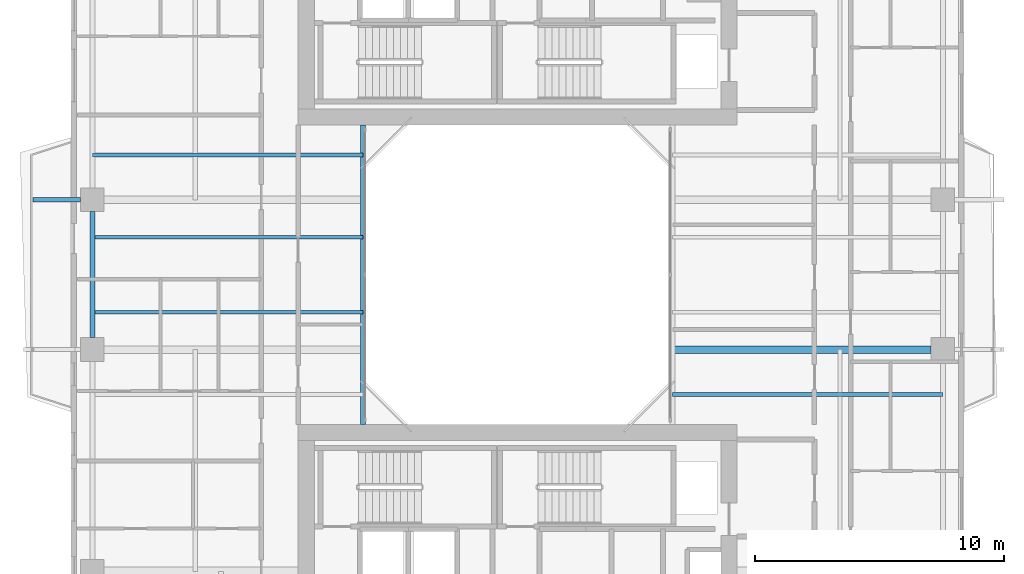
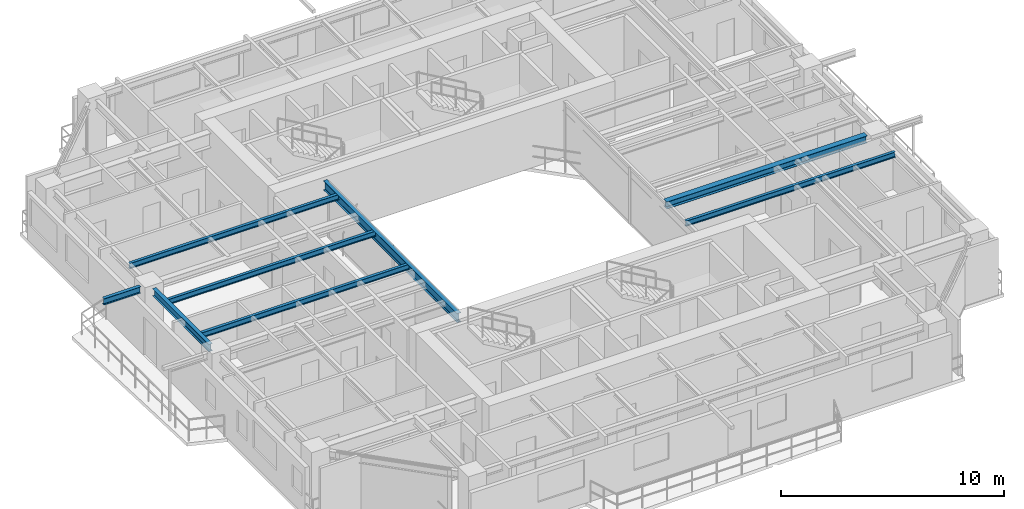
# One storey, part 5 of 18: 8 beams.
"""IFC4 building model written with IfcOpenShell, lengths in metres."""

from ifc_helpers import new_model, si_unit, direction, frame, origin, origin_2d, place, context, subcontext, project, spatial, i_section, extrude, source, transform, mapped, material, material_profile, profile_set, type_object, element, save


model = new_model("IFC4")

# Units and contexts
model_context = context("Model", 3, precision=1e-05, world=origin(), true_north=direction((0.0, 1.0)))
body_context = subcontext(model_context, "Body", "Model", "MODEL_VIEW")
ifc_project = project(units=[si_unit("LENGTHUNIT", "METRE"), si_unit("AREAUNIT", "SQUARE_METRE"), si_unit("VOLUMEUNIT", "CUBIC_METRE"), si_unit("PLANEANGLEUNIT", "RADIAN"), si_unit("MASSUNIT", "GRAM", prefix="KILO"), si_unit("THERMODYNAMICTEMPERATUREUNIT", "KELVIN"), si_unit("POWERUNIT", "WATT")], contexts=[model_context])

# Site, building, storey
site_placement = place(None, origin())
site = spatial("IfcSite", under=ifc_project, at=site_placement, CompositionType="ELEMENT")
building_placement = place(site_placement, origin())
building = spatial("IfcBuilding", under=site, at=building_placement, Name="Qiaomeng Ring Towers", CompositionType="ELEMENT")
storey_placement = place(building_placement, frame((0.0, 0.0, 179.5)))
storey = spatial("IfcBuildingStorey", under=building, at=storey_placement, Name="L52", CompositionType="ELEMENT", Elevation=179.5)

# Beams
ifc_material = material(Name="Steel Q355B", Category="steel")
ifc_material_profile_1 = material_profile(ifc_material, i_section(OverallWidth=0.199951171875, OverallDepth=0.5, WebThickness=0.010009765625, FlangeThickness=0.01611328125, FilletRadius=0.02001953125, at=origin_2d()), Name="HN 500x200x10x16")
ifc_profile_set_1 = profile_set([ifc_material_profile_1], Name="Steel Q355B")
beam_type_1 = type_object("IfcBeamType", Name="STR-BM-HN500", PredefinedType="BEAM", material=ifc_profile_set_1)
shared_shape_1 = source(origin(), body_context, "Body", "SweptSolid", [
    extrude(i_section(OverallWidth=0.199951171875, OverallDepth=0.5, WebThickness=0.010009765625, FlangeThickness=0.01611328125, FilletRadius=0.02001953125, at=origin_2d()), origin(), (0.0, 0.0, 1.0), 12.0),
])
beam_1_placement = place(storey_placement, frame((12.800048828125, 17.0, 2.820068359375), z_axis=(0.0, 1.0, 0.0), x_axis=(-1.0, 0.0, 0.0)))
element("IfcBeam", 1, at=beam_1_placement, inside=storey, type_object=beam_type_1, Name="L52 beam STR-BM-L52-WELL-W", PredefinedType="BEAM", context=body_context, shape_type="MappedRepresentation", body=[
    mapped(shared_shape_1, transform((0.0, 0.0, 0.0), x_axis=(1.0, 0.0, 0.0), y_axis=(0.0, 1.0, 0.0), z_axis=(0.0, 0.0, 1.0), scale=1.0)),
])
ifc_material_profile_2 = material_profile(ifc_material, i_section(OverallWidth=0.14990234375, OverallDepth=0.300048828125, WebThickness=0.006591796875, FlangeThickness=0.009033203125, FilletRadius=0.012939453125, at=origin_2d()), Name="HN 300x150x6.5x9")
ifc_profile_set_2 = profile_set([ifc_material_profile_2], Name="Steel Q355B")
beam_type_2 = type_object("IfcBeamType", Name="STR-BM-HN300", PredefinedType="JOIST", material=ifc_profile_set_2)
shared_shape_2 = source(origin(), body_context, "Body", "SweptSolid", [
    extrude(i_section(OverallWidth=0.14990234375, OverallDepth=0.300048828125, WebThickness=0.006591796875, FlangeThickness=0.009033203125, FilletRadius=0.012939453125, at=origin_2d()), origin(), (0.0, 0.0, 1.0), 10.85009765625),
])
for number, where, z_axis, x_axis, name in (
    (2, (25.199951171875, 18.199951171875, 2.919921875), (1.0, 0.0, 0.0), (0.0, 1.0, 0.0), "L52 beam STR-JST-L52-T1E-1"),
    (3, (1.949951171875, 21.5, 2.919921875), (1.0, 0.0, 0.0), (0.0, 1.0, 0.0), "L52 beam STR-JST-L52-T1W-2"),
    (4, (1.949951171875, 24.5, 2.919921875), (1.0, 0.0, 0.0), (0.0, 1.0, 0.0), "L52 beam STR-JST-L52-T1W-3"),
    (5, (1.949951171875, 27.800048828125, 2.919921875), (1.0, 0.0, 0.0), (0.0, 1.0, 0.0), "L52 beam STR-JST-L52-T1W-4"),
):
    element("IfcBeam", number, at=place(storey_placement, frame(where, z_axis=z_axis, x_axis=x_axis)), inside=storey, type_object=beam_type_2, Name=name, PredefinedType="JOIST", context=body_context, shape_type="MappedRepresentation", body=[
        mapped(shared_shape_2, transform((0.0, 0.0, 0.0), x_axis=(1.0, 0.0, 0.0), y_axis=(0.0, 1.0, 0.0), z_axis=(0.0, 0.0, 1.0), scale=1.0)),
    ])
ifc_material_profile_3 = material_profile(ifc_material, i_section(OverallWidth=0.199951171875, OverallDepth=0.39990234375, WebThickness=0.008056640625, FlangeThickness=0.012939453125, FilletRadius=0.01611328125, at=origin_2d()), Name="HN 400x200x8x13")
ifc_profile_set_3 = profile_set([ifc_material_profile_3], Name="Steel Q355B")
beam_type_3 = type_object("IfcBeamType", Name="STR-BM-HN400", PredefinedType="SPANDREL", material=ifc_profile_set_3)
shared_shape_3 = source(origin(), body_context, "Body", "SweptSolid", [
    extrude(i_section(OverallWidth=0.199951171875, OverallDepth=0.39990234375, WebThickness=0.008056640625, FlangeThickness=0.012939453125, FilletRadius=0.01611328125, at=origin_2d()), origin(), (0.0, 0.0, 1.0), 5.0517578125),
])
beam_2_placement = place(storey_placement, frame((1.949951171875, 25.52587890625, 2.8701171875), z_axis=(0.0, -1.0, 0.0), x_axis=(1.0, 0.0, 0.0)))
element("IfcBeam", 6, at=beam_2_placement, inside=storey, type_object=beam_type_3, Name="L52 beam STR-SP-L52-T1-W3-W2", PredefinedType="SPANDREL", context=body_context, shape_type="MappedRepresentation", body=[
    mapped(shared_shape_3, transform((0.0, 0.0, 0.0), x_axis=(1.0, 0.0, 0.0), y_axis=(0.0, 1.0, 0.0), z_axis=(0.0, 0.0, 1.0), scale=1.0)),
])
ifc_material_profile_4 = material_profile(ifc_material, i_section(OverallWidth=0.300048828125, OverallDepth=0.389892578125, WebThickness=0.010009765625, FlangeThickness=0.01611328125, FilletRadius=0.02197265625, at=origin_2d()), Name="HM 390x300x10x16")
ifc_profile_set_4 = profile_set([ifc_material_profile_4], Name="Steel Q355B")
beam_type_4 = type_object("IfcBeamType", Name="STR-BM-HM390", PredefinedType="BEAM", material=ifc_profile_set_4)
shared_shape_4 = source(origin(), body_context, "Body", "SweptSolid", [
    extrude(i_section(OverallWidth=0.300048828125, OverallDepth=0.389892578125, WebThickness=0.010009765625, FlangeThickness=0.01611328125, FilletRadius=0.02197265625, at=origin_2d()), origin(), (0.0, 0.0, 1.0), 10.3759765625),
])
beam_3_placement = place(storey_placement, frame((25.199951171875, 20.0, 2.875), z_axis=(1.0, 0.0, 0.0), x_axis=(0.0, 1.0, 0.0)))
element("IfcBeam", 7, at=beam_3_placement, inside=storey, type_object=beam_type_4, Name="L52 beam STR-BM-L52-T1-RAD-E2", PredefinedType="BEAM", context=body_context, shape_type="MappedRepresentation", body=[
    mapped(shared_shape_4, transform((0.0, 0.0, 0.0), x_axis=(1.0, 0.0, 0.0), y_axis=(0.0, 1.0, 0.0), z_axis=(0.0, 0.0, 1.0), scale=1.0)),
])
ifc_material_profile_5 = material_profile(ifc_material, i_section(OverallWidth=0.175048828125, OverallDepth=0.35009765625, WebThickness=0.007080078125, FlangeThickness=0.010986328125, FilletRadius=0.013916015625, at=origin_2d()), Name="HN 350x175x7x11")
ifc_profile_set_5 = profile_set([ifc_material_profile_5], Name="Steel Q355B")
beam_type_5 = type_object("IfcBeamType", Name="STR-BM-HN350", PredefinedType="JOIST", material=ifc_profile_set_5)
shared_shape_5 = source(origin(), body_context, "Body", "SweptSolid", [
    extrude(i_section(OverallWidth=0.175048828125, OverallDepth=0.35009765625, WebThickness=0.007080078125, FlangeThickness=0.010986328125, FilletRadius=0.013916015625, at=origin_2d()), origin(), (0.0, 0.0, 1.0), 1.89599609375),
])
beam_4_placement = place(storey_placement, frame((-0.419921875, 26.0, 2.89501953125), z_axis=(1.0, 0.0, 0.0), x_axis=(0.0, 1.0, 0.0)))
element("IfcBeam", 8, at=beam_4_placement, inside=storey, type_object=beam_type_5, Name="L52 beam STR-BALBM-L52-W3", PredefinedType="JOIST", context=body_context, shape_type="MappedRepresentation", body=[
    mapped(shared_shape_5, transform((0.0, 0.0, 0.0), x_axis=(1.0, 0.0, 0.0), y_axis=(0.0, 1.0, 0.0), z_axis=(0.0, 0.0, 1.0), scale=1.0)),
])

save(model, "model.ifc")
